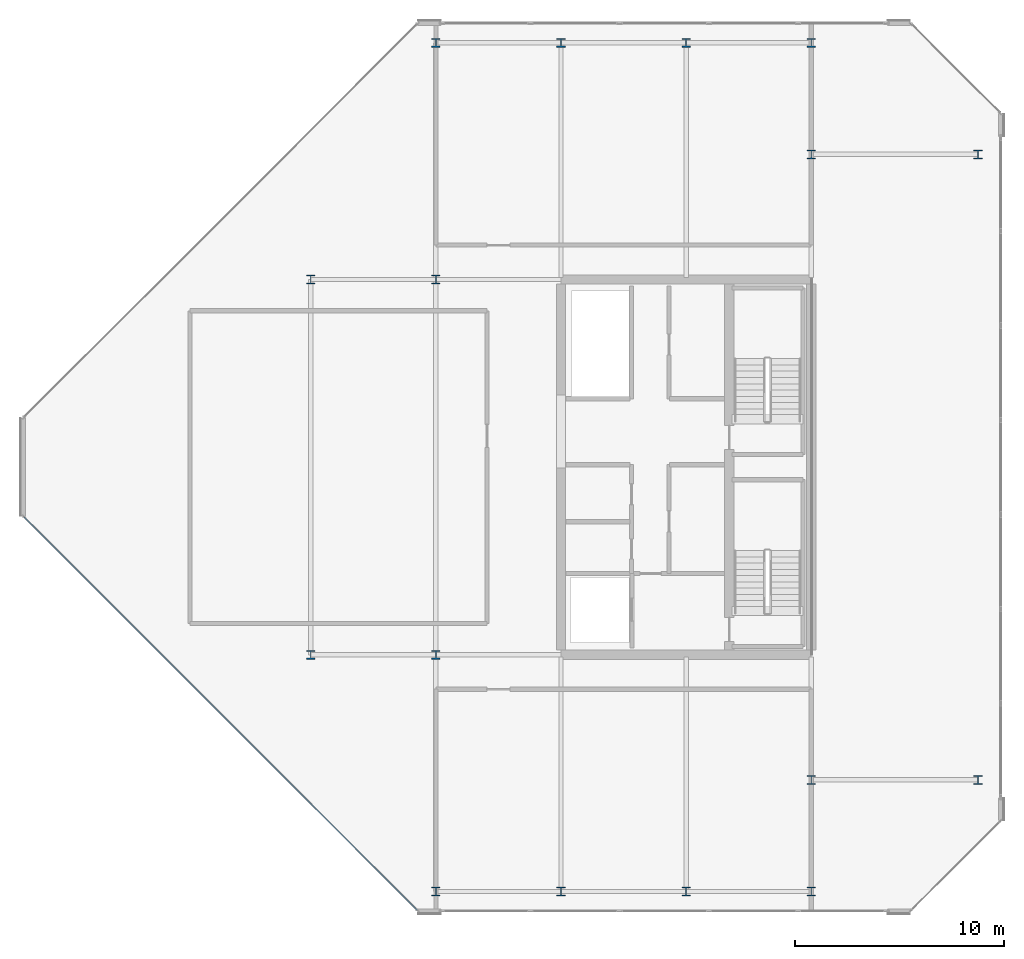
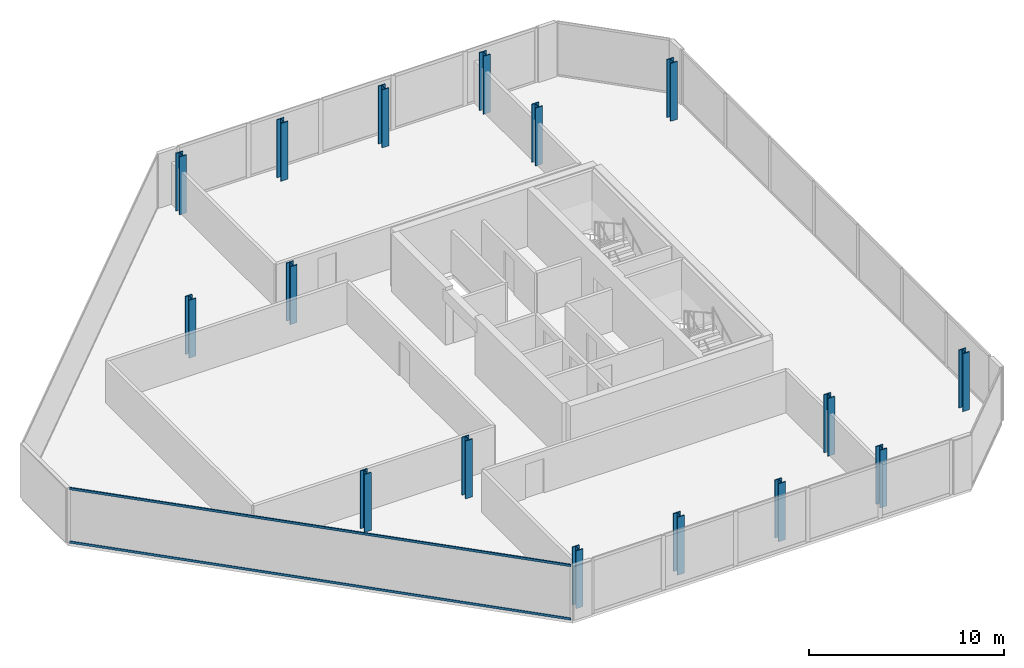
# One storey, part 1 of 16: 16 columns, 2 members, 1 element without a shape of its own.
"""IFC4 building model written with IfcOpenShell, lengths in metres."""

from ifc_helpers import new_model, si_unit, direction, frame, origin, origin_2d, place, context, subcontext, project, spatial, hollow_rectangle, i_section, extrude, material, layer, layer_set, material_profile, profile_set, type_object, element, aggregate, save


model = new_model("IFC4")

# Units and contexts
model_context = context("Model", 3, precision=1e-05, world=origin(), true_north=direction((0.0, 1.0)))
body_context = subcontext(model_context, "Body", "Model", "MODEL_VIEW")
ifc_project = project(units=[si_unit("LENGTHUNIT", "METRE"), si_unit("AREAUNIT", "SQUARE_METRE"), si_unit("VOLUMEUNIT", "CUBIC_METRE"), si_unit("PLANEANGLEUNIT", "RADIAN"), si_unit("MASSUNIT", "GRAM", prefix="KILO")], contexts=[model_context])

# Site, building, storey
site_placement = place(None, origin())
site = spatial("IfcSite", under=ifc_project, at=site_placement, CompositionType="ELEMENT")
building_placement = place(site_placement, origin())
building = spatial("IfcBuilding", under=site, at=building_placement, Name="Tanjung Sevakor Pilgrim Tower", CompositionType="ELEMENT")
storey_placement = place(building_placement, frame((0.0, 0.0, 271.590087890625)))
storey = spatial("IfcBuildingStorey", under=building, at=storey_placement, Name="L76", CompositionType="ELEMENT", Elevation=271.590087890625)

# Columns
ifc_material_1 = material(Name="Steel S460M", Category="steel")
ifc_material_profile_1 = material_profile(ifc_material_1, i_section(OverallWidth=0.412109375, OverallDepth=0.43505859375, WebThickness=0.035888671875, FlangeThickness=0.054931640625, FilletRadius=0.014892578125, at=origin_2d()))
ifc_profile_set_1 = profile_set([ifc_material_profile_1], Name="Steel S460M")
column_type = type_object("IfcColumnType", Name="COL-C-S463-HD_400x463", PredefinedType="COLUMN", material=ifc_profile_set_1)
for number, where, z_axis, x_axis, name in (
    (1, (66.0, 24.60009765625, 0.0), (0.0, 0.0, 1.0), (1.0, 0.0, 0.0), "L76 Column SPE-066-246"),
    (2, (66.0, 42.60009765625, 0.0), (0.0, 0.0, 1.0), (1.0, 0.0, 0.0), "L76 Column SPE-066-426"),
    (3, (72.0, 24.60009765625, 0.0), (0.0, 0.0, 1.0), (1.0, 0.0, 0.0), "L76 Column SPE-072-246"),
    (4, (72.0, 42.60009765625, 0.0), (0.0, 0.0, 1.0), (1.0, 0.0, 0.0), "L76 Column SPE-072-426"),
    (5, (90.0, 18.60009765625, 0.0), (0.0, 0.0, 1.0), (1.0, 0.0, 0.0), "L76 Column TCE-0900-186"),
    (6, (90.0, 48.60009765625, 0.0), (0.0, 0.0, 1.0), (1.0, 0.0, 0.0), "L76 Column TCE-0900-486"),
    (7, (98.0, 18.60009765625, 0.0), (0.0, 0.0, 1.0), (1.0, 0.0, 0.0), "L76 Column TCE-0980-186"),
    (8, (98.0, 48.60009765625, 0.0), (0.0, 0.0, 1.0), (1.0, 0.0, 0.0), "L76 Column TCE-0980-486"),
    (9, (72.0, 13.25, 0.0), (0.0, 0.0, 1.0), (1.0, 0.0, 0.0), "L76 Column TC4-072-132"),
    (10, (72.0, 53.949951171875, 0.0), (0.0, 0.0, 1.0), (1.0, 0.0, 0.0), "L76 Column TC4-072-540"),
    (11, (78.0, 13.25, 0.0), (0.0, 0.0, 1.0), (1.0, 0.0, 0.0), "L76 Column TC4-078-132"),
    (12, (78.0, 53.949951171875, 0.0), (0.0, 0.0, 1.0), (1.0, 0.0, 0.0), "L76 Column TC4-078-540"),
    (13, (84.0, 13.25, 0.0), (0.0, 0.0, 1.0), (1.0, 0.0, 0.0), "L76 Column TC4-084-132"),
    (14, (84.0, 53.949951171875, 0.0), (0.0, 0.0, 1.0), (1.0, 0.0, 0.0), "L76 Column TC4-084-540"),
    (15, (90.0, 13.25, 0.0), (0.0, 0.0, 1.0), (1.0, 0.0, 0.0), "L76 Column TC4-090-132"),
    (16, (90.0, 53.949951171875, 0.0), (0.0, 0.0, 1.0), (1.0, 0.0, 0.0), "L76 Column TC4-090-540"),
):
    element("IfcColumn", number, at=place(storey_placement, frame(where, z_axis=z_axis, x_axis=x_axis)), inside=storey, type_object=column_type, Name=name, PredefinedType="COLUMN", context=body_context, shape_type="SweptSolid", body=[
        extrude(i_section(OverallWidth=0.412109375, OverallDepth=0.43505859375, WebThickness=0.035888671875, FlangeThickness=0.054931640625, FilletRadius=0.014892578125, at=origin_2d()), origin(), (0.0, 0.0, 1.0), 3.6298828125),
    ])

# Curtain wall, members
ifc_material_2 = material(Name="Aluminium 6063-T6 and Low-E Glass", Category="aluminium")
ifc_layer = layer(ifc_material_2, 0.179931640625)
ifc_layer_set = layer_set([ifc_layer], Name="CW-SYS-CHAM")
curtain_wall_type = type_object("IfcCurtainWallType", Name="CW-SYS-CHAM", PredefinedType="NOTDEFINED", material=ifc_layer_set)
curtain_wall_placement = place(storey_placement, origin())
curtain_wall = element("IfcCurtainWall", 17, at=curtain_wall_placement, inside=storey, type_object=curtain_wall_type, Name="L76 Curtain Wall CW-CHM-L76-EAST-7", PredefinedType="NOTDEFINED")
ifc_material_3 = material(Name="Aluminium 6063-T6", Category="aluminium")
ifc_material_profile_2 = material_profile(ifc_material_3, hollow_rectangle(XDim=0.06494140625, YDim=0.139892578125, WallThickness=0.00390625, at=origin_2d()))
ifc_profile_set_2 = profile_set([ifc_material_profile_2], Name="Aluminium 6063-T6")
member_type = type_object("IfcMemberType", Name="TYPE-CWT-1", PredefinedType="USERDEFINED", material=ifc_profile_set_2)
member_1_placement = place(storey_placement, frame((52.255859375, 31.19970703125, 0.032470703125), z_axis=(0.707106781187, -0.707106781187, 0.0), x_axis=(0.707106781187, 0.707106781187, 0.0)))
member_1 = element("IfcMember", 18, at=member_1_placement, type_object=member_type, Name="CW-CHM transom 1.1", ObjectType="TRANSOM", PredefinedType="USERDEFINED", context=body_context, shape_type="SweptSolid", body=[
    extrude(hollow_rectangle(XDim=0.06494140625, YDim=0.139892578125, WallThickness=0.00390625, at=origin_2d()), origin(), (0.0, 0.0, 1.0), 26.649169921875),
])
member_2_placement = place(storey_placement, frame((52.255859375, 31.19970703125, 3.37744140625), z_axis=(0.707106781187, -0.707106781187, 0.0), x_axis=(0.707106781187, 0.707106781187, 0.0)))
member_2 = element("IfcMember", 19, at=member_2_placement, type_object=member_type, Name="CW-CHM transom 1.2", ObjectType="TRANSOM", PredefinedType="USERDEFINED", context=body_context, shape_type="SweptSolid", body=[
    extrude(hollow_rectangle(XDim=0.06494140625, YDim=0.139892578125, WallThickness=0.00390625, at=origin_2d()), origin(), (0.0, 0.0, 1.0), 26.649169921875),
])
aggregate(curtain_wall, [member_1, member_2])

save(model, "model.ifc")
